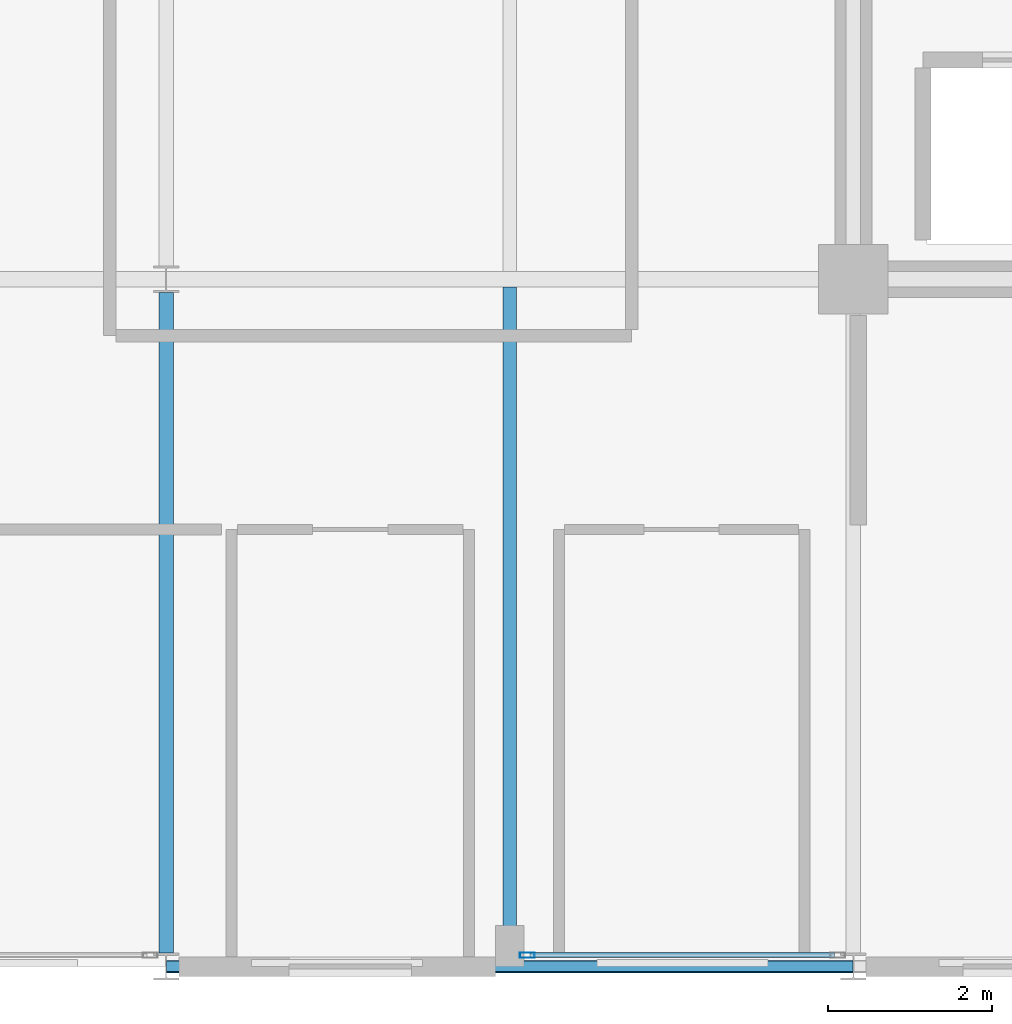
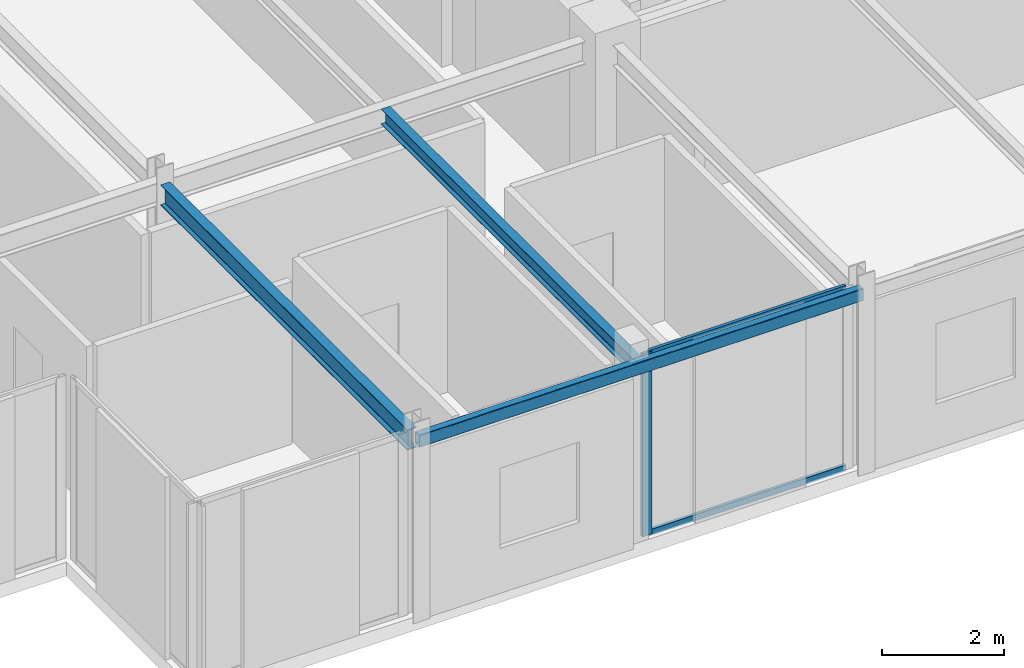
# One storey, part 4 of 26: 3 beams, 3 members, 1 element without a shape of its own.
"""IFC4 building model written with IfcOpenShell, lengths in metres."""

from ifc_helpers import new_model, si_unit, direction, frame, origin, origin_2d, place, context, subcontext, project, spatial, hollow_rectangle, i_section, extrude, material, layer, layer_set, material_profile, profile_set, type_object, element, aggregate, save


model = new_model("IFC4")

# Units and contexts
model_context = context("Model", 3, precision=1e-05, world=origin(), true_north=direction((0.0, 1.0)))
body_context = subcontext(model_context, "Body", "Model", "MODEL_VIEW")
ifc_project = project(units=[si_unit("LENGTHUNIT", "METRE"), si_unit("AREAUNIT", "SQUARE_METRE"), si_unit("VOLUMEUNIT", "CUBIC_METRE"), si_unit("PLANEANGLEUNIT", "RADIAN"), si_unit("MASSUNIT", "GRAM", prefix="KILO")], contexts=[model_context])

# Site, building, storey
site_placement = place(None, origin())
site = spatial("IfcSite", under=ifc_project, at=site_placement, CompositionType="ELEMENT")
building_placement = place(site_placement, origin())
building = spatial("IfcBuilding", under=site, at=building_placement, Name="Nerrivon Quay Data Exchange", CompositionType="ELEMENT")
storey_placement = place(building_placement, frame((0.0, 0.0, 282.199951171875)))
storey = spatial("IfcBuildingStorey", under=building, at=storey_placement, Name="L67", CompositionType="ELEMENT", Elevation=282.199951171875)

# Beams
ifc_material_1 = material(Name="Steel Grade 350", Category="steel")
ifc_material_profile_1 = material_profile(ifc_material_1, i_section(OverallWidth=0.177978515625, OverallDepth=0.406005859375, WebThickness=0.0078125, FlangeThickness=0.0126953125, FilletRadius=0.011474609375, at=origin_2d()), Name="410UB59.7")
ifc_profile_set_1 = profile_set([ifc_material_profile_1], Name="Steel Grade 350")
beam_type_1 = type_object("IfcBeamType", Name="BM-J1-410UB60", PredefinedType="JOIST", material=ifc_profile_set_1)
beam_1_placement = place(storey_placement, frame((8.39990234375, 0.16357421875, 3.447021484375), z_axis=(0.0, 1.0, 0.0), x_axis=(-1.0, 0.0, 0.0)))
element("IfcBeam", 1, at=beam_1_placement, inside=storey, type_object=beam_type_1, Name="L67 NS Girder X=8.4 (0.0..8.4)", PredefinedType="JOIST", context=body_context, shape_type="SweptSolid", body=[
    extrude(i_section(OverallWidth=0.177978515625, OverallDepth=0.406005859375, WebThickness=0.0078125, FlangeThickness=0.0126953125, FilletRadius=0.011474609375, at=origin_2d()), origin(), (0.0, 0.0, 1.0), 8.072998046875),
])
ifc_material_profile_2 = material_profile(ifc_material_1, i_section(OverallWidth=0.1650390625, OverallDepth=0.303955078125, WebThickness=0.006103515625, FlangeThickness=0.01025390625, FilletRadius=0.011474609375, at=origin_2d()), Name="310UB40.4")
ifc_profile_set_2 = profile_set([ifc_material_profile_2], Name="Steel Grade 350")
beam_type_2 = type_object("IfcBeamType", Name="BM-J6-310UB40", PredefinedType="JOIST", material=ifc_profile_set_2)
beam_2_placement = place(storey_placement, frame((12.60009765625, 0.074951171875, 3.498046875), z_axis=(0.0, 1.0, 0.0), x_axis=(-1.0, 0.0, 0.0)))
element("IfcBeam", 2, at=beam_2_placement, inside=storey, type_object=beam_type_2, Name="L67 Secondary Joist X=12.6 (0.0..8.4)", PredefinedType="JOIST", context=body_context, shape_type="SweptSolid", body=[
    extrude(i_section(OverallWidth=0.1650390625, OverallDepth=0.303955078125, WebThickness=0.006103515625, FlangeThickness=0.01025390625, FilletRadius=0.011474609375, at=origin_2d()), origin(), (0.0, 0.0, 1.0), 8.22998046875),
])
ifc_material_2 = material(Name="Steel Grade C350L0 (350 MPa)", Category="steel")
ifc_material_profile_3 = material_profile(ifc_material_2, hollow_rectangle(XDim=0.14990234375, YDim=0.25, WallThickness=0.009033203125, InnerFilletRadius=0.013427734375, OuterFilletRadius=0.0224609375, at=origin_2d()), Name="250x150x9.0RHS")
ifc_profile_set_3 = profile_set([ifc_material_profile_3], Name="Steel Grade C350L0 (350 MPa)")
beam_type_3 = type_object("IfcBeamType", Name="BM-SP4-250x150RHS", PredefinedType="SPANDREL", material=ifc_profile_set_3)
beam_3_placement = place(storey_placement, frame((8.40771484375, 0.0, 3.525146484375), z_axis=(1.0, 0.0, 0.0), x_axis=(0.0, 1.0, 0.0)))
element("IfcBeam", 3, at=beam_3_placement, inside=storey, type_object=beam_type_3, Name="L67 EW Girder Y=0.0 (8.4..16.8)", PredefinedType="SPANDREL", context=body_context, shape_type="SweptSolid", body=[
    extrude(hollow_rectangle(XDim=0.14990234375, YDim=0.25, WallThickness=0.009033203125, InnerFilletRadius=0.013427734375, OuterFilletRadius=0.0224609375, at=origin_2d()), origin(), (0.0, 0.0, 1.0), 8.38427734375),
])

# Curtain wall, members
ifc_material_3 = material(Name="Anodised aluminium 6063-T6", Category="aluminium")
ifc_layer = layer(ifc_material_3, 0.195068359375)
ifc_layer_set = layer_set([ifc_layer], Name="Anodised aluminium 6063-T6")
curtain_wall_type = type_object("IfcCurtainWallType", Name="CW-SYS-06", PredefinedType="NOTDEFINED", material=ifc_layer_set)
curtain_wall_placement = place(storey_placement, origin())
curtain_wall = element("IfcCurtainWall", 4, at=curtain_wall_placement, inside=storey, type_object=curtain_wall_type, Name="L67 Unitised Curtain Wall 6", PredefinedType="NOTDEFINED")
ifc_material_profile_4 = material_profile(ifc_material_3, hollow_rectangle(XDim=0.06494140625, YDim=0.179931640625, WallThickness=0.00341796875, at=origin_2d()), Name="ALU-MULL-180x65")
ifc_profile_set_4 = profile_set([ifc_material_profile_4], Name="Anodised aluminium 6063-T6")
member_type_1 = type_object("IfcMemberType", Name="CWM-180x65", PredefinedType="MULLION", material=ifc_profile_set_4)
member_1_placement = place(storey_placement, frame((12.8125, 0.139892578125, 0.0), z_axis=(0.0, 0.0, 1.0), x_axis=(0.0, -1.0, 0.0)))
member_1 = element("IfcMember", 5, at=member_1_placement, type_object=member_type_1, Name="CW06 mullion 2", PredefinedType="MULLION", context=body_context, shape_type="SweptSolid", body=[
    extrude(hollow_rectangle(XDim=0.06494140625, YDim=0.179931640625, WallThickness=0.00341796875, at=origin_2d()), origin(), (0.0, 0.0, 1.0), 3.650146484375),
])
ifc_material_profile_5 = material_profile(ifc_material_3, hollow_rectangle(XDim=0.06005859375, YDim=0.1201171875, WallThickness=0.003173828125, at=origin_2d()), Name="ALU-TRAN-120x60")
ifc_profile_set_5 = profile_set([ifc_material_profile_5], Name="Anodised aluminium 6063-T6")
member_type_2 = type_object("IfcMemberType", Name="CWT-120x60", PredefinedType="USERDEFINED", material=ifc_profile_set_5)
member_2_placement = place(storey_placement, frame((16.569580078125, 0.139892578125, 0.032470703125), z_axis=(-1.0, 0.0, 0.0), x_axis=(0.0, -1.0, 0.0)))
member_2 = element("IfcMember", 6, at=member_2_placement, type_object=member_type_2, Name="CW06 transom 1.1", ObjectType="TRANSOM", PredefinedType="USERDEFINED", context=body_context, shape_type="SweptSolid", body=[
    extrude(hollow_rectangle(XDim=0.06005859375, YDim=0.1201171875, WallThickness=0.003173828125, at=origin_2d()), origin(), (0.0, 0.0, 1.0), 3.719482421875),
])
member_3_placement = place(storey_placement, frame((16.569580078125, 0.139892578125, 3.617431640625), z_axis=(-1.0, 0.0, 0.0), x_axis=(0.0, -1.0, 0.0)))
member_3 = element("IfcMember", 7, at=member_3_placement, type_object=member_type_2, Name="CW06 transom 1.2", ObjectType="TRANSOM", PredefinedType="USERDEFINED", context=body_context, shape_type="SweptSolid", body=[
    extrude(hollow_rectangle(XDim=0.06005859375, YDim=0.1201171875, WallThickness=0.003173828125, at=origin_2d()), origin(), (0.0, 0.0, 1.0), 3.719482421875),
])
aggregate(curtain_wall, [member_1, member_2, member_3])

save(model, "model.ifc")
